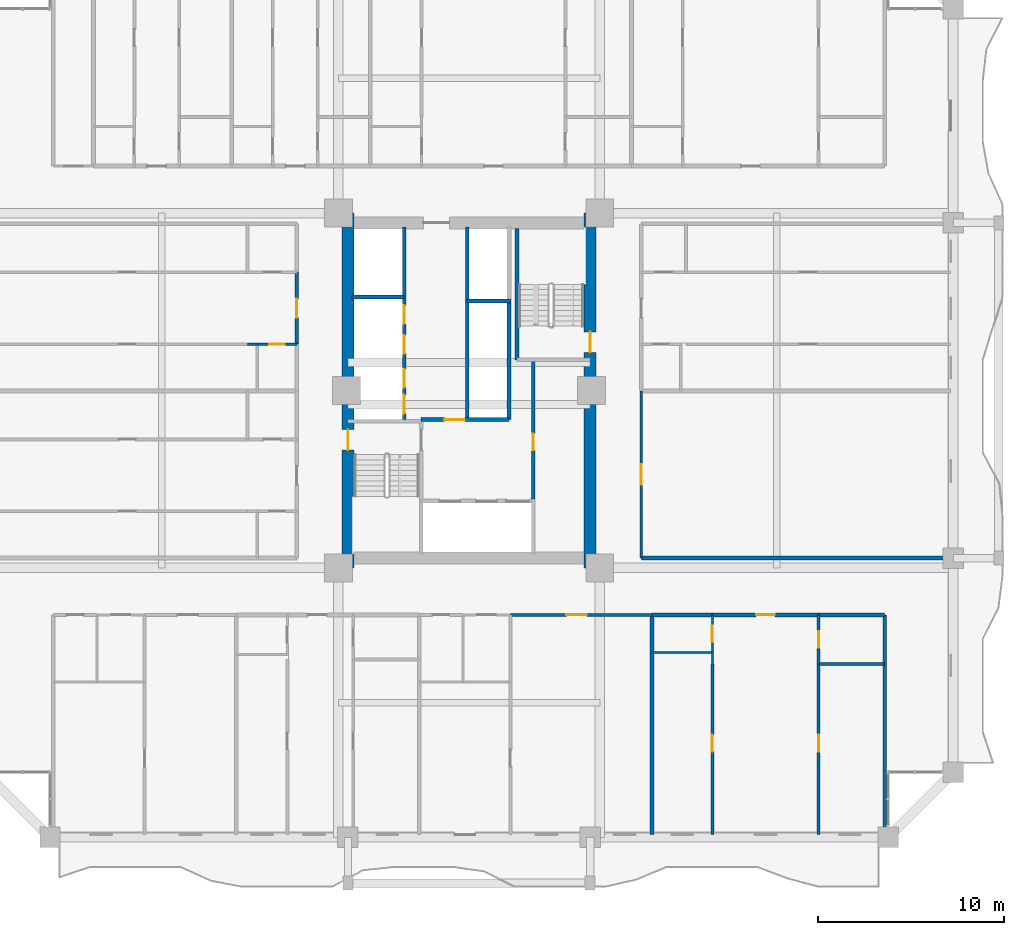
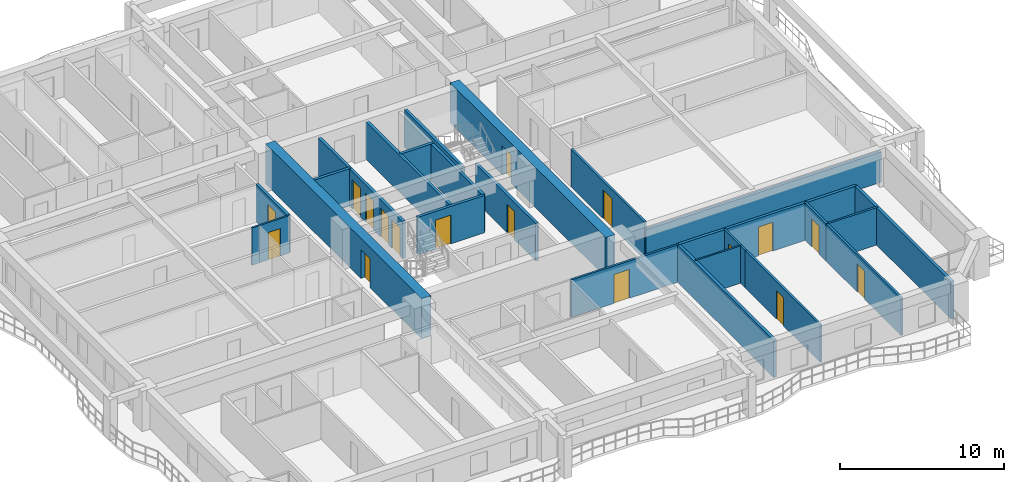
# One storey, part 16 of 27: 28 walls, 17 doors, 17 openings.
"""IFC4 building model written with IfcOpenShell, lengths in metres."""

from ifc_helpers import new_model, si_unit, direction, frame, frame_2d, origin, place, context, subcontext, project, spatial, rectangle, extrude, source, transform, mapped, material, layer, layer_set, type_object, element, fill, save


model = new_model("IFC4")

# Units and contexts
model_context = context("Model", 3, precision=1e-05, world=origin(), true_north=direction((0.0, 1.0)))
body_context = subcontext(model_context, "Body", "Model", "MODEL_VIEW")
ifc_project = project(units=[si_unit("LENGTHUNIT", "METRE"), si_unit("AREAUNIT", "SQUARE_METRE"), si_unit("VOLUMEUNIT", "CUBIC_METRE"), si_unit("PLANEANGLEUNIT", "RADIAN"), si_unit("MASSUNIT", "GRAM", prefix="KILO")], contexts=[model_context])

# Site, building, storey
site_placement = place(None, origin())
site = spatial("IfcSite", under=ifc_project, at=site_placement, CompositionType="ELEMENT")
building_placement = place(site_placement, origin())
building = spatial("IfcBuilding", under=site, at=building_placement, Name="Saelheon Loggia Tower", CompositionType="ELEMENT")
storey_placement = place(building_placement, frame((0.0, 0.0, 52.39990234375)))
storey = spatial("IfcBuildingStorey", under=building, at=storey_placement, Name="L16", CompositionType="ELEMENT", Elevation=52.39990234375)

# Wall, opening, door
ifc_material_1 = material(Name="Concrete C60/75", Category="concrete")
ifc_layer_1 = layer(ifc_material_1, 0.64990234375)
ifc_layer_set_1 = layer_set([ifc_layer_1], Name="Concrete C60/75")
wall_type_1 = type_object("IfcWallType", Name="Wall_CoreShear_650", PredefinedType="SHEAR", material=ifc_layer_set_1)
wall_1_placement = place(storey_placement, frame((31.5, 17.47998046875, 0.0), z_axis=(0.0, 0.0, 1.0), x_axis=(0.0, 1.0, 0.0)))
wall_1 = element("IfcWall", 1, at=wall_1_placement, inside=storey, type_object=wall_type_1, Name="L16 Core Shear Wall West", PredefinedType="SHEAR", context=body_context, shape_type="SweptSolid", body=[
    extrude(rectangle(XDim=19.0400390625, YDim=0.64990234375, at=frame_2d((9.52001953125, 0.0))), origin(), (0.0, 0.0, 1.0), 3.0),
])
opening_1_placement = place(wall_1_placement, frame((6.320068359375, 0.0, 0.0)))
opening_1 = element("IfcOpeningElement", 2, at=opening_1_placement, cuts=wall_1, Name="Opening D-FD2", PredefinedType="OPENING", context=body_context, shape_type="SweptSolid", body=[
    extrude(rectangle(XDim=1.10009765625, YDim=2.14990234375, at=frame_2d((0.550048828125, 1.074951171875))), frame((0.0, 0.3369140625, 0.0), z_axis=(0.0, -1.0, 0.0), x_axis=(1.0, 0.0, 0.0)), (0.0, 0.0, 1.0), 0.673828125),
])
ifc_material_2 = material(Name="Galvanised Steel Fire Door", Category="steel")
door_type_1 = type_object("IfcDoorType", Name="Door_Fire_FD60_1100", OperationType="NOTDEFINED", PredefinedType="DOOR", material=ifc_material_2)
shared_shape_1 = source(origin(), body_context, "Body", "SweptSolid", [
    extrude(rectangle(XDim=1.10009765625, YDim=2.14990234375, at=frame_2d((0.550048828125, 1.074951171875))), frame((0.0, 0.02490234375, 0.0), z_axis=(0.0, -1.0, 0.0), x_axis=(1.0, 0.0, 0.0)), (0.0, 0.0, 1.0), 0.050048828125),
])
door_1_placement = place(opening_1_placement, origin())
door_1 = element("IfcDoor", 3, at=door_1_placement, inside=storey, type_object=door_type_1, Name="L16 Stair ST1 Corridor Door", OperationType="SINGLE_SWING_LEFT", OverallHeight=2.14990234375, OverallWidth=1.10009765625, PredefinedType="DOOR", context=body_context, shape_type="MappedRepresentation", body=[
    mapped(shared_shape_1, transform((0.0, 0.0, 0.0), scale=1.0)),
])
fill(opening_1, door_1)

wall_2_placement = place(storey_placement, frame((44.5, 17.47998046875, 0.0), z_axis=(0.0, 0.0, 1.0), x_axis=(0.0, 1.0, 0.0)))
wall_2 = element("IfcWall", 4, at=wall_2_placement, inside=storey, type_object=wall_type_1, Name="L16 Core Shear Wall East", PredefinedType="SHEAR", context=body_context, shape_type="SweptSolid", body=[
    extrude(rectangle(XDim=19.0400390625, YDim=0.64990234375, at=frame_2d((9.52001953125, 0.0))), origin(), (0.0, 0.0, 1.0), 3.0),
])
opening_2_placement = place(wall_2_placement, frame((12.670166015625, 0.0, 0.0), z_axis=(0.0, 0.0, 1.0), x_axis=(-1.0, 0.0, 0.0)))
opening_2 = element("IfcOpeningElement", 5, at=opening_2_placement, cuts=wall_2, Name="Opening D-FD2", PredefinedType="OPENING", context=body_context, shape_type="SweptSolid", body=[
    extrude(rectangle(XDim=1.10009765625, YDim=2.14990234375, at=frame_2d((0.550048828125, 1.074951171875))), frame((0.0, 0.3369140625, 0.0), z_axis=(0.0, -1.0, 0.0), x_axis=(1.0, 0.0, 0.0)), (0.0, 0.0, 1.0), 0.673828125),
])
door_2_placement = place(opening_2_placement, origin())
door_2 = element("IfcDoor", 6, at=door_2_placement, inside=storey, type_object=door_type_1, Name="L16 Stair ST2 Corridor Door", OperationType="SINGLE_SWING_RIGHT", OverallHeight=2.14990234375, OverallWidth=1.10009765625, PredefinedType="DOOR", context=body_context, shape_type="MappedRepresentation", body=[
    mapped(shared_shape_1, transform((0.0, 0.0, 0.0), scale=1.0)),
])
fill(opening_2, door_2)

ifc_material_3 = material(Name="Lightweight Autoclaved Aerated Concrete Block and Acoustic Gypsum", Category="concrete")
ifc_layer_2 = layer(ifc_material_3, 0.14990234375)
ifc_layer_set_2 = layer_set([ifc_layer_2], Name="Lightweight Autoclaved Aerated Concrete Block and Acoustic Gypsum")
wall_type_2 = type_object("IfcWallType", Name="Wall_Part_150", PredefinedType="PARTITIONING", material=ifc_layer_set_2)
wall_3_placement = place(storey_placement, frame((40.2216796875, 14.949951171875, 0.0), z_axis=(0.0, 0.0, 1.0), x_axis=(1.0, 0.0, 0.0)))
wall_3 = element("IfcWall", 7, at=wall_3_placement, inside=storey, type_object=wall_type_2, Name="L16 S Partition V27", PredefinedType="PARTITIONING", context=body_context, shape_type="SweptSolid", body=[
    extrude(rectangle(XDim=7.59912109375, YDim=0.14990234375, at=frame_2d((3.799560546875, 0.0))), origin(), (0.0, 0.0, 1.0), 2.7900390625),
])
opening_3_placement = place(wall_3_placement, frame((3.00048828125, 0.0, 0.0)))
opening_3 = element("IfcOpeningElement", 8, at=opening_3_placement, cuts=wall_3, Name="Opening D-FD2", PredefinedType="OPENING", context=body_context, shape_type="SweptSolid", body=[
    extrude(rectangle(XDim=1.10009765625, YDim=2.14990234375, at=frame_2d((0.550048828125, 1.074951171875))), frame((0.0, 0.0869140625, 0.0), z_axis=(0.0, -1.0, 0.0), x_axis=(1.0, 0.0, 0.0)), (0.0, 0.0, 1.0), 0.173828125),
])
door_3_placement = place(opening_3_placement, origin())
door_3 = element("IfcDoor", 9, at=door_3_placement, inside=storey, type_object=door_type_1, Name="L16 Community Reading Library Door A", OperationType="SINGLE_SWING_LEFT", OverallHeight=2.14990234375, OverallWidth=1.10009765625, PredefinedType="DOOR", context=body_context, shape_type="MappedRepresentation", body=[
    mapped(shared_shape_1, transform((0.0, 0.0, 0.0), scale=1.0)),
])
fill(opening_3, door_3)

# Wall
wall_4_placement = place(storey_placement, frame((56.77197265625, 12.31005859375, 0.0), z_axis=(0.0, 0.0, 1.0), x_axis=(1.0, 0.0, 0.0)))
element("IfcWall", 10, at=wall_4_placement, inside=storey, type_object=wall_type_2, Name="L16 S Partition V33", PredefinedType="PARTITIONING", context=body_context, shape_type="SweptSolid", body=[
    extrude(rectangle(XDim=3.548095703125, YDim=0.14990234375, at=frame_2d((1.77392578125, 0.0))), origin(), (0.0, 0.0, 1.0), 2.7900390625),
])

# Wall, opening, door
wall_5_placement = place(storey_placement, frame((51.070556640625, 12.31005859375, 0.0), z_axis=(0.0, 0.0, 1.0), x_axis=(0.0, -1.0, 0.0)))
wall_5 = element("IfcWall", 11, at=wall_5_placement, inside=storey, type_object=wall_type_2, Name="L16 S Partition U36", PredefinedType="PARTITIONING", context=body_context, shape_type="SweptSolid", body=[
    extrude(rectangle(XDim=9.16015625, YDim=0.14990234375, at=frame_2d((4.580078125, 0.0))), origin(), (0.0, 0.0, 1.0), 2.7900390625),
])
opening_4_placement = place(wall_5_placement, frame((3.805908203125, 0.0, 0.0)))
opening_4 = element("IfcOpeningElement", 12, at=opening_4_placement, cuts=wall_5, Name="Opening D-IN2", PredefinedType="OPENING", context=body_context, shape_type="SweptSolid", body=[
    extrude(rectangle(XDim=0.89990234375, YDim=2.10009765625, at=frame_2d((0.449951171875, 1.050048828125))), frame((0.0, 0.0869140625, 0.0), z_axis=(0.0, -1.0, 0.0), x_axis=(1.0, 0.0, 0.0)), (0.0, 0.0, 1.0), 0.173828125),
])
ifc_material_4 = material(Name="Engineered Oak Flush Door", Category="timber")
door_type_2 = type_object("IfcDoorType", Name="Door_Int_900", OperationType="NOTDEFINED", PredefinedType="DOOR", material=ifc_material_4)
shared_shape_2 = source(origin(), body_context, "Body", "SweptSolid", [
    extrude(rectangle(XDim=0.89990234375, YDim=2.10009765625, at=frame_2d((0.449951171875, 1.050048828125))), frame((0.0, 0.02490234375, 0.0), z_axis=(0.0, -1.0, 0.0), x_axis=(1.0, 0.0, 0.0)), (0.0, 0.0, 1.0), 0.050048828125),
])
door_4_placement = place(opening_4_placement, origin())
door_4 = element("IfcDoor", 13, at=door_4_placement, inside=storey, type_object=door_type_2, Name="Unit U02 Bedroom 2 Door", OperationType="SINGLE_SWING_RIGHT", OverallHeight=2.10009765625, OverallWidth=0.89990234375, PredefinedType="DOOR", context=body_context, shape_type="MappedRepresentation", body=[
    mapped(shared_shape_2, transform((0.0, 0.0, 0.0), scale=1.0)),
])
fill(opening_4, door_4)

wall_6_placement = place(storey_placement, frame((56.77197265625, 14.949951171875, 0.0), z_axis=(0.0, 0.0, 1.0), x_axis=(0.0, -1.0, 0.0)))
wall_6 = element("IfcWall", 14, at=wall_6_placement, inside=storey, type_object=wall_type_2, Name="L16 S Partition U37", PredefinedType="PARTITIONING", context=body_context, shape_type="SweptSolid", body=[
    extrude(rectangle(XDim=2.639892578125, YDim=0.14990234375, at=frame_2d((1.31982421875, 0.0))), origin(), (0.0, 0.0, 1.0), 2.7900390625),
])
opening_5_placement = place(wall_6_placement, frame((0.8701171875, 0.0, 0.0)))
opening_5 = element("IfcOpeningElement", 15, at=opening_5_placement, cuts=wall_6, Name="Opening D-IN2", PredefinedType="OPENING", context=body_context, shape_type="SweptSolid", body=[
    extrude(rectangle(XDim=0.89990234375, YDim=2.10009765625, at=frame_2d((0.449951171875, 1.050048828125))), frame((0.0, 0.0869140625, 0.0), z_axis=(0.0, -1.0, 0.0), x_axis=(1.0, 0.0, 0.0)), (0.0, 0.0, 1.0), 0.173828125),
])
door_5_placement = place(opening_5_placement, origin())
door_5 = element("IfcDoor", 16, at=door_5_placement, inside=storey, type_object=door_type_2, Name="Unit U02 Kitchen Door", OperationType="SINGLE_SWING_LEFT", OverallHeight=2.10009765625, OverallWidth=0.89990234375, PredefinedType="DOOR", context=body_context, shape_type="MappedRepresentation", body=[
    mapped(shared_shape_2, transform((0.0, 0.0, 0.0), scale=1.0)),
])
fill(opening_5, door_5)

wall_7_placement = place(storey_placement, frame((56.77197265625, 12.31005859375, 0.0), z_axis=(0.0, 0.0, 1.0), x_axis=(0.0, -1.0, 0.0)))
wall_7 = element("IfcWall", 17, at=wall_7_placement, inside=storey, type_object=wall_type_2, Name="L16 S Partition U38", PredefinedType="PARTITIONING", context=body_context, shape_type="SweptSolid", body=[
    extrude(rectangle(XDim=9.16015625, YDim=0.14990234375, at=frame_2d((4.580078125, 0.0))), origin(), (0.0, 0.0, 1.0), 2.7900390625),
])
opening_6_placement = place(wall_7_placement, frame((3.805908203125, 0.0, 0.0)))
opening_6 = element("IfcOpeningElement", 18, at=opening_6_placement, cuts=wall_7, Name="Opening D-IN2", PredefinedType="OPENING", context=body_context, shape_type="SweptSolid", body=[
    extrude(rectangle(XDim=0.89990234375, YDim=2.10009765625, at=frame_2d((0.449951171875, 1.050048828125))), frame((0.0, 0.0869140625, 0.0), z_axis=(0.0, -1.0, 0.0), x_axis=(1.0, 0.0, 0.0)), (0.0, 0.0, 1.0), 0.173828125),
])
door_6_placement = place(opening_6_placement, origin())
door_6 = element("IfcDoor", 19, at=door_6_placement, inside=storey, type_object=door_type_2, Name="Unit U02 Bedroom 1 Door", OperationType="SINGLE_SWING_RIGHT", OverallHeight=2.10009765625, OverallWidth=0.89990234375, PredefinedType="DOOR", context=body_context, shape_type="MappedRepresentation", body=[
    mapped(shared_shape_2, transform((0.0, 0.0, 0.0), scale=1.0)),
])
fill(opening_6, door_6)

wall_8_placement = place(storey_placement, frame((47.25, 18.0, 0.0), z_axis=(0.0, 0.0, 1.0), x_axis=(0.0, 1.0, 0.0)))
wall_8 = element("IfcWall", 20, at=wall_8_placement, inside=storey, type_object=wall_type_2, Name="L16 E Partition V03", PredefinedType="PARTITIONING", context=body_context, shape_type="SweptSolid", body=[
    extrude(rectangle(XDim=8.97509765625, YDim=0.14990234375, at=frame_2d((4.487548828125, 0.0))), origin(), (0.0, 0.0, 1.0), 2.7900390625),
])
opening_7_placement = place(wall_8_placement, frame((3.9375, 0.0, 0.0)))
opening_7 = element("IfcOpeningElement", 21, at=opening_7_placement, cuts=wall_8, Name="Opening D-FD2", PredefinedType="OPENING", context=body_context, shape_type="SweptSolid", body=[
    extrude(rectangle(XDim=1.10009765625, YDim=2.14990234375, at=frame_2d((0.550048828125, 1.074951171875))), frame((0.0, 0.0869140625, 0.0), z_axis=(0.0, -1.0, 0.0), x_axis=(1.0, 0.0, 0.0)), (0.0, 0.0, 1.0), 0.173828125),
])
door_7_placement = place(opening_7_placement, origin())
door_7 = element("IfcDoor", 22, at=door_7_placement, inside=storey, type_object=door_type_1, Name="L16 Community Wellness Activity Hall Door A", OperationType="SINGLE_SWING_RIGHT", OverallHeight=2.14990234375, OverallWidth=1.10009765625, PredefinedType="DOOR", context=body_context, shape_type="MappedRepresentation", body=[
    mapped(shared_shape_1, transform((0.0, 0.0, 0.0), scale=1.0)),
])
fill(opening_7, door_7)

# Walls
ifc_material_5 = material(Name="Double Acoustic Stud and Fireboard Partition", Category="gypsum")
ifc_layer_3 = layer(ifc_material_5, 0.199951171875)
ifc_layer_set_3 = layer_set([ifc_layer_3], Name="Double Acoustic Stud and Fireboard Partition")
wall_type_3 = type_object("IfcWallType", Name="Wall_Party_200", PredefinedType="PARTITIONING", material=ifc_layer_set_3)
for number, where, z_axis, x_axis, name in (
    (23, (60.320068359375, 14.949951171875, 0.0), (0.0, 0.0, 1.0), (0.0, -1.0, 0.0), "L16 S Partition U02"),
    (24, (47.82080078125, 14.949951171875, 0.0), (0.0, 0.0, 1.0), (0.0, -1.0, 0.0), "L16 S Partition U28"),
):
    element("IfcWall", number, at=place(storey_placement, frame(where, z_axis=z_axis, x_axis=x_axis)), inside=storey, type_object=wall_type_3, Name=name, PredefinedType="PARTITIONING", context=body_context, shape_type="SweptSolid", body=[
        extrude(rectangle(XDim=11.800048828125, YDim=0.199951171875, at=frame_2d((5.89990234375, 0.0))), origin(), (0.0, 0.0, 1.0), 2.7900390625),
    ])
wall_9_placement = place(storey_placement, frame((47.82080078125, 14.949951171875, 0.0), z_axis=(0.0, 0.0, 1.0), x_axis=(1.0, 0.0, 0.0)))
element("IfcWall", 25, at=wall_9_placement, inside=storey, type_object=wall_type_3, Name="L16 S Partition V29", PredefinedType="PARTITIONING", context=body_context, shape_type="SweptSolid", body=[
    extrude(rectangle(XDim=3.249755859375, YDim=0.199951171875, at=frame_2d((1.625, 0.0))), origin(), (0.0, 0.0, 1.0), 2.7900390625),
])

# Wall, opening, door
wall_10_placement = place(storey_placement, frame((51.070556640625, 14.949951171875, 0.0), z_axis=(0.0, 0.0, 1.0), x_axis=(1.0, 0.0, 0.0)))
wall_10 = element("IfcWall", 26, at=wall_10_placement, inside=storey, type_object=wall_type_3, Name="L16 S Partition V30", PredefinedType="PARTITIONING", context=body_context, shape_type="SweptSolid", body=[
    extrude(rectangle(XDim=5.701416015625, YDim=0.199951171875, at=frame_2d((2.8505859375, 0.0))), origin(), (0.0, 0.0, 1.0), 2.7900390625),
])
opening_8_placement = place(wall_10_placement, frame((2.3505859375, 0.0, 0.0)))
opening_8 = element("IfcOpeningElement", 27, at=opening_8_placement, cuts=wall_10, Name="Opening D-FD1", PredefinedType="OPENING", context=body_context, shape_type="SweptSolid", body=[
    extrude(rectangle(XDim=1.0, YDim=2.14990234375, at=frame_2d((0.5, 1.074951171875))), frame((0.0, 0.112060546875, 0.0), z_axis=(0.0, -1.0, 0.0), x_axis=(1.0, 0.0, 0.0)), (0.0, 0.0, 1.0), 0.223876953125),
])
ifc_material_6 = material(Name="Fire-Rated Engineered Timber Entrance Door", Category="wood")
door_type_3 = type_object("IfcDoorType", Name="Door_Flat_FD30S", OperationType="NOTDEFINED", PredefinedType="DOOR", material=ifc_material_6)
shared_shape_3 = source(origin(), body_context, "Body", "SweptSolid", [
    extrude(rectangle(XDim=1.0, YDim=2.14990234375, at=frame_2d((0.5, 1.074951171875))), frame((0.0, 0.02490234375, 0.0), z_axis=(0.0, -1.0, 0.0), x_axis=(1.0, 0.0, 0.0)), (0.0, 0.0, 1.0), 0.050048828125),
])
door_8_placement = place(opening_8_placement, origin())
door_8 = element("IfcDoor", 28, at=door_8_placement, inside=storey, type_object=door_type_3, Name="Unit U02 Entrance Door", OperationType="SINGLE_SWING_RIGHT", OverallHeight=2.14990234375, OverallWidth=1.0, PredefinedType="DOOR", context=body_context, shape_type="MappedRepresentation", body=[
    mapped(shared_shape_3, transform((0.0, 0.0, 0.0), scale=1.0)),
])
fill(opening_8, door_8)

# Wall
wall_11_placement = place(storey_placement, frame((56.77197265625, 14.949951171875, 0.0), z_axis=(0.0, 0.0, 1.0), x_axis=(1.0, 0.0, 0.0)))
element("IfcWall", 29, at=wall_11_placement, inside=storey, type_object=wall_type_3, Name="L16 S Partition V31", PredefinedType="PARTITIONING", context=body_context, shape_type="SweptSolid", body=[
    extrude(rectangle(XDim=3.548095703125, YDim=0.199951171875, at=frame_2d((1.77392578125, 0.0))), origin(), (0.0, 0.0, 1.0), 2.7900390625),
])

# Wall, opening, door
wall_12_placement = place(storey_placement, frame((28.75, 29.488037109375, 0.0), z_axis=(0.0, 0.0, 1.0), x_axis=(0.0, 1.0, 0.0)))
wall_12 = element("IfcWall", 30, at=wall_12_placement, inside=storey, type_object=wall_type_3, Name="L16 W Partition V15", PredefinedType="PARTITIONING", context=body_context, shape_type="SweptSolid", body=[
    extrude(rectangle(XDim=3.862060546875, YDim=0.199951171875, at=frame_2d((1.93115234375, 0.0))), origin(), (0.0, 0.0, 1.0), 2.7900390625),
])
opening_9_placement = place(wall_12_placement, frame((1.430908203125, 0.0, 0.0)))
opening_9 = element("IfcOpeningElement", 31, at=opening_9_placement, cuts=wall_12, Name="Opening D-FD1", PredefinedType="OPENING", context=body_context, shape_type="SweptSolid", body=[
    extrude(rectangle(XDim=1.0, YDim=2.14990234375, at=frame_2d((0.5, 1.074951171875))), frame((0.0, 0.112060546875, 0.0), z_axis=(0.0, -1.0, 0.0), x_axis=(1.0, 0.0, 0.0)), (0.0, 0.0, 1.0), 0.223876953125),
])
door_9_placement = place(opening_9_placement, origin())
door_9 = element("IfcDoor", 32, at=door_9_placement, inside=storey, type_object=door_type_3, Name="Unit U08 Entrance Door", OperationType="SINGLE_SWING_LEFT", OverallHeight=2.14990234375, OverallWidth=1.0, PredefinedType="DOOR", context=body_context, shape_type="MappedRepresentation", body=[
    mapped(shared_shape_3, transform((0.0, 0.0, 0.0), scale=1.0)),
])
fill(opening_9, door_9)

# Wall
wall_13_placement = place(storey_placement, frame((47.25, 18.0, 0.0), z_axis=(0.0, 0.0, 1.0), x_axis=(1.0, 0.0, 0.0)))
element("IfcWall", 33, at=wall_13_placement, inside=storey, type_object=wall_type_3, Name="L16 E Partition U01", PredefinedType="PARTITIONING", context=body_context, shape_type="SweptSolid", body=[
    extrude(rectangle(XDim=16.60009765625, YDim=0.199951171875, at=frame_2d((8.300048828125, 0.0))), origin(), (0.0, 0.0, 1.0), 2.239990234375),
])

# Wall, opening, door
ifc_material_7 = material(Name="Concrete C40/50", Category="concrete")
ifc_layer_4 = layer(ifc_material_7, 0.199951171875)
ifc_layer_set_4 = layer_set([ifc_layer_4], Name="Concrete C40/50")
wall_type_4 = type_object("IfcWallType", Name="Wall_Shaft_200", PredefinedType="PARTITIONING", material=ifc_layer_set_4)
wall_14_placement = place(storey_placement, frame((41.449951171875, 21.179931640625, 0.0), z_axis=(0.0, 0.0, 1.0), x_axis=(0.0, 1.0, 0.0)))
wall_14 = element("IfcWall", 34, at=wall_14_placement, inside=storey, type_object=wall_type_4, Name="CW-INT-L16-BOH-W1", PredefinedType="PARTITIONING", context=body_context, shape_type="SweptSolid", body=[
    extrude(rectangle(XDim=7.420166015625, YDim=0.199951171875, at=frame_2d((3.7099609375, 0.0))), origin(), (0.0, 0.0, 1.0), 2.7900390625),
])
opening_10_placement = place(wall_14_placement, frame((2.60009765625, 0.0, 0.0)))
opening_10 = element("IfcOpeningElement", 35, at=opening_10_placement, cuts=wall_14, Name="Opening D-RS1", PredefinedType="OPENING", context=body_context, shape_type="SweptSolid", body=[
    extrude(rectangle(XDim=0.89990234375, YDim=2.10009765625, at=frame_2d((0.449951171875, 1.050048828125))), frame((0.0, 0.112060546875, 0.0), z_axis=(0.0, -1.0, 0.0), x_axis=(1.0, 0.0, 0.0)), (0.0, 0.0, 1.0), 0.223876953125),
])
ifc_material_8 = material(Name="Galvanised Steel Riser Access Door", Category="steel")
door_type_4 = type_object("IfcDoorType", Name="Door_Riser_FD60", OperationType="NOTDEFINED", PredefinedType="DOOR", material=ifc_material_8)
door_10_placement = place(opening_10_placement, origin())
door_10 = element("IfcDoor", 36, at=door_10_placement, inside=storey, type_object=door_type_4, Name="L16 Core Service Store Door", OperationType="SINGLE_SWING_RIGHT", OverallHeight=2.10009765625, OverallWidth=0.89990234375, PredefinedType="DOOR", context=body_context, shape_type="MappedRepresentation", body=[
    mapped(shared_shape_2, transform((0.0, 0.0, 0.0), scale=1.0)),
])
fill(opening_10, door_10)

# Wall
wall_15_placement = place(storey_placement, frame((40.14990234375, 25.43994140625, 0.0), z_axis=(0.0, 0.0, 1.0), x_axis=(0.0, 1.0, 0.0)))
element("IfcWall", 37, at=wall_15_placement, inside=storey, type_object=wall_type_4, Name="L16 Core Service Passage West Wall", PredefinedType="PARTITIONING", context=body_context, shape_type="SweptSolid", body=[
    extrude(rectangle(XDim=6.360107421875, YDim=0.199951171875, at=frame_2d((3.18017578125, 0.0))), origin(), (0.0, 0.0, 1.0), 2.7900390625),
])

# Wall, opening, door
wall_16_placement = place(storey_placement, frame((35.429931640625, 25.43994140625, 0.0), z_axis=(0.0, 0.0, 1.0), x_axis=(1.0, 0.0, 0.0)))
wall_16 = element("IfcWall", 38, at=wall_16_placement, inside=storey, type_object=wall_type_4, Name="L16 Firefighting Lobby Compartment Wall", PredefinedType="PARTITIONING", context=body_context, shape_type="SweptSolid", body=[
    extrude(rectangle(XDim=4.719970703125, YDim=0.199951171875, at=frame_2d((2.35986328125, 0.0))), origin(), (0.0, 0.0, 1.0), 2.7900390625),
])
opening_11_placement = place(wall_16_placement, frame((1.25, 0.0, 0.0)))
opening_11 = element("IfcOpeningElement", 39, at=opening_11_placement, cuts=wall_16, Name="Opening D-FD2", PredefinedType="OPENING", context=body_context, shape_type="SweptSolid", body=[
    extrude(rectangle(XDim=1.10009765625, YDim=2.14990234375, at=frame_2d((0.550048828125, 1.074951171875))), frame((0.0, 0.112060546875, 0.0), z_axis=(0.0, -1.0, 0.0), x_axis=(1.0, 0.0, 0.0)), (0.0, 0.0, 1.0), 0.223876953125),
])
door_11_placement = place(opening_11_placement, origin())
door_11 = element("IfcDoor", 40, at=door_11_placement, inside=storey, type_object=door_type_1, Name="L16 Firefighting Lobby Door", OperationType="SINGLE_SWING_LEFT", OverallHeight=2.14990234375, OverallWidth=1.10009765625, PredefinedType="DOOR", context=body_context, shape_type="MappedRepresentation", body=[
    mapped(shared_shape_1, transform((0.0, 0.0, 0.0), scale=1.0)),
])
fill(opening_11, door_11)

# Wall, openings, doors
wall_17_placement = place(storey_placement, frame((34.52001953125, 25.43994140625, 0.0), z_axis=(0.0, 0.0, 1.0), x_axis=(0.0, 1.0, 0.0)))
wall_17 = element("IfcWall", 41, at=wall_17_placement, inside=storey, type_object=wall_type_4, Name="L16 West Passenger Lift Bank Wall", PredefinedType="PARTITIONING", context=body_context, shape_type="SweptSolid", body=[
    extrude(rectangle(XDim=10.340087890625, YDim=0.199951171875, at=frame_2d((5.169921875, 0.0))), origin(), (0.0, 0.0, 1.0), 2.7900390625),
])
opening_12_placement = place(wall_17_placement, frame((0.320068359375, 0.0, 0.0)))
opening_12 = element("IfcOpeningElement", 42, at=opening_12_placement, cuts=wall_17, Name="Opening LD1", PredefinedType="OPENING", context=body_context, shape_type="SweptSolid", body=[
    extrude(rectangle(XDim=1.0, YDim=2.14990234375, at=frame_2d((0.5, 1.074951171875))), frame((0.0, 0.112060546875, 0.0), z_axis=(0.0, -1.0, 0.0), x_axis=(1.0, 0.0, 0.0)), (0.0, 0.0, 1.0), 0.223876953125),
])
opening_13_placement = place(wall_17_placement, frame((1.7099609375, 0.0, 0.0)))
opening_13 = element("IfcOpeningElement", 43, at=opening_13_placement, cuts=wall_17, Name="Opening LD1", PredefinedType="OPENING", context=body_context, shape_type="SweptSolid", body=[
    extrude(rectangle(XDim=1.0, YDim=2.14990234375, at=frame_2d((0.5, 1.074951171875))), frame((0.0, 0.112060546875, 0.0), z_axis=(0.0, -1.0, 0.0), x_axis=(1.0, 0.0, 0.0)), (0.0, 0.0, 1.0), 0.223876953125),
])
opening_14_placement = place(wall_17_placement, frame((3.534912109375, 0.0, 0.0)))
opening_14 = element("IfcOpeningElement", 44, at=opening_14_placement, cuts=wall_17, Name="Opening LD1", PredefinedType="OPENING", context=body_context, shape_type="SweptSolid", body=[
    extrude(rectangle(XDim=1.0, YDim=2.14990234375, at=frame_2d((0.5, 1.074951171875))), frame((0.0, 0.112060546875, 0.0), z_axis=(0.0, -1.0, 0.0), x_axis=(1.0, 0.0, 0.0)), (0.0, 0.0, 1.0), 0.223876953125),
])
opening_15_placement = place(wall_17_placement, frame((5.135009765625, 0.0, 0.0)))
opening_15 = element("IfcOpeningElement", 45, at=opening_15_placement, cuts=wall_17, Name="Opening LD1", PredefinedType="OPENING", context=body_context, shape_type="SweptSolid", body=[
    extrude(rectangle(XDim=1.0, YDim=2.14990234375, at=frame_2d((0.5, 1.074951171875))), frame((0.0, 0.112060546875, 0.0), z_axis=(0.0, -1.0, 0.0), x_axis=(1.0, 0.0, 0.0)), (0.0, 0.0, 1.0), 0.223876953125),
])
ifc_material_9 = material(Name="Brushed Stainless Steel 304 Landing Door", Category="steel")
door_type_5 = type_object("IfcDoorType", Name="Door_Lift_LD1", OperationType="DOUBLE_DOOR_SLIDING", PredefinedType="DOOR", material=ifc_material_9)
door_12_placement = place(opening_12_placement, origin())
door_12 = element("IfcDoor", 46, at=door_12_placement, inside=storey, type_object=door_type_5, Name="L16 PL1 Landing Door", OperationType="DOUBLE_DOOR_SLIDING", OverallHeight=2.14990234375, OverallWidth=1.0, PredefinedType="DOOR", context=body_context, shape_type="MappedRepresentation", body=[
    mapped(shared_shape_3, transform((0.0, 0.0, 0.0), scale=1.0)),
])
fill(opening_12, door_12)
door_13_placement = place(opening_13_placement, origin())
door_13 = element("IfcDoor", 47, at=door_13_placement, inside=storey, type_object=door_type_5, Name="L16 PL2 Landing Door", OperationType="DOUBLE_DOOR_SLIDING", OverallHeight=2.14990234375, OverallWidth=1.0, PredefinedType="DOOR", context=body_context, shape_type="MappedRepresentation", body=[
    mapped(shared_shape_3, transform((0.0, 0.0, 0.0), scale=1.0)),
])
fill(opening_13, door_13)
door_14_placement = place(opening_14_placement, origin())
door_14 = element("IfcDoor", 48, at=door_14_placement, inside=storey, type_object=door_type_5, Name="L16 PL3 Landing Door", OperationType="DOUBLE_DOOR_SLIDING", OverallHeight=2.14990234375, OverallWidth=1.0, PredefinedType="DOOR", context=body_context, shape_type="MappedRepresentation", body=[
    mapped(shared_shape_3, transform((0.0, 0.0, 0.0), scale=1.0)),
])
fill(opening_14, door_14)
door_15_placement = place(opening_15_placement, origin())
door_15 = element("IfcDoor", 49, at=door_15_placement, inside=storey, type_object=door_type_5, Name="L16 PL4 Landing Door", OperationType="DOUBLE_DOOR_SLIDING", OverallHeight=2.14990234375, OverallWidth=1.0, PredefinedType="DOOR", context=body_context, shape_type="MappedRepresentation", body=[
    mapped(shared_shape_3, transform((0.0, 0.0, 0.0), scale=1.0)),
])
fill(opening_15, door_15)

# Walls
wall_18_placement = place(storey_placement, frame((31.719970703125, 32.02001953125, 0.0), z_axis=(0.0, 0.0, 1.0), x_axis=(1.0, 0.0, 0.0)))
element("IfcWall", 50, at=wall_18_placement, inside=storey, type_object=wall_type_4, Name="L16 West High-Rise Shaft Divider", PredefinedType="PARTITIONING", context=body_context, shape_type="SweptSolid", body=[
    extrude(rectangle(XDim=2.800048828125, YDim=0.199951171875, at=frame_2d((1.39990234375, 0.0))), origin(), (0.0, 0.0, 1.0), 2.7900390625),
])
wall_19_placement = place(storey_placement, frame((37.89990234375, 25.43994140625, 0.0), z_axis=(0.0, 0.0, 1.0), x_axis=(0.0, 1.0, 0.0)))
element("IfcWall", 51, at=wall_19_placement, inside=storey, type_object=wall_type_4, Name="L16 East Passenger Lift Bank Wall", PredefinedType="PARTITIONING", context=body_context, shape_type="SweptSolid", body=[
    extrude(rectangle(XDim=10.340087890625, YDim=0.199951171875, at=frame_2d((5.169921875, 0.0))), origin(), (0.0, 0.0, 1.0), 2.7900390625),
])
wall_20_placement = place(storey_placement, frame((37.89990234375, 31.800048828125, 0.0), z_axis=(0.0, 0.0, 1.0), x_axis=(1.0, 0.0, 0.0)))
element("IfcWall", 52, at=wall_20_placement, inside=storey, type_object=wall_type_4, Name="L16 East High-Rise Shaft Divider", PredefinedType="PARTITIONING", context=body_context, shape_type="SweptSolid", body=[
    extrude(rectangle(XDim=2.35009765625, YDim=0.199951171875, at=frame_2d((1.175048828125, 0.0))), origin(), (0.0, 0.0, 1.0), 2.7900390625),
])
ifc_material_10 = material(Name="Concrete C45/55", Category="concrete")
ifc_layer_5 = layer(ifc_material_10, 0.199951171875)
ifc_layer_set_5 = layer_set([ifc_layer_5], Name="Concrete C45/55")
wall_type_5 = type_object("IfcWallType", Name="Wall_StairShaft_RC200", PredefinedType="SOLIDWALL", material=ifc_layer_set_5)
wall_21_placement = place(storey_placement, frame((40.570068359375, 28.64990234375, 0.0), z_axis=(0.0, 0.0, 1.0), x_axis=(0.0, 1.0, 0.0)))
element("IfcWall", 53, at=wall_21_placement, inside=storey, type_object=wall_type_5, Name="L16 Stair ST2 Shaft Wall", PredefinedType="SOLIDWALL", context=body_context, shape_type="SweptSolid", body=[
    extrude(rectangle(XDim=7.050048828125, YDim=0.199951171875, at=frame_2d((3.52490234375, 0.0))), origin(), (0.0, 0.0, 1.0), 2.7900390625),
])
ifc_material_11 = material(Name="Moisture-Resistant Cement Board Partition", Category="gypsum")
ifc_layer_6 = layer(ifc_material_11, 0.1201171875)
ifc_layer_set_6 = layer_set([ifc_layer_6], Name="Moisture-Resistant Cement Board Partition")
wall_type_6 = type_object("IfcWallType", Name="Wall_WetPart_120", PredefinedType="PARTITIONING", material=ifc_layer_set_6)
wall_22_placement = place(storey_placement, frame((47.82080078125, 12.929931640625, 0.0), z_axis=(0.0, 0.0, 1.0), x_axis=(1.0, 0.0, 0.0)))
element("IfcWall", 54, at=wall_22_placement, inside=storey, type_object=wall_type_6, Name="L16 S Partition V32", PredefinedType="PARTITIONING", context=body_context, shape_type="SweptSolid", body=[
    extrude(rectangle(XDim=3.249755859375, YDim=0.1201171875, at=frame_2d((1.625, 0.0))), origin(), (0.0, 0.0, 1.0), 2.7900390625),
])

# Wall, opening, door
wall_23_placement = place(storey_placement, frame((51.070556640625, 14.949951171875, 0.0), z_axis=(0.0, 0.0, 1.0), x_axis=(0.0, -1.0, 0.0)))
wall_23 = element("IfcWall", 55, at=wall_23_placement, inside=storey, type_object=wall_type_6, Name="L16 S Partition U34", PredefinedType="PARTITIONING", context=body_context, shape_type="SweptSolid", body=[
    extrude(rectangle(XDim=2.02001953125, YDim=0.1201171875, at=frame_2d((1.010009765625, 0.0))), origin(), (0.0, 0.0, 1.0), 2.7900390625),
])
opening_16_placement = place(wall_23_placement, frame((0.5849609375, 0.0, 0.0)))
opening_16 = element("IfcOpeningElement", 56, at=opening_16_placement, cuts=wall_23, Name="Opening D-BT1", PredefinedType="OPENING", context=body_context, shape_type="SweptSolid", body=[
    extrude(rectangle(XDim=0.85009765625, YDim=2.050048828125, at=frame_2d((0.425048828125, 1.02490234375))), frame((0.0, 0.072021484375, 0.0), z_axis=(0.0, -1.0, 0.0), x_axis=(1.0, 0.0, 0.0)), (0.0, 0.0, 1.0), 0.14404296875),
])
ifc_material_12 = material(Name="Moisture-Resistant Laminate Timber Door", Category="wood")
door_type_6 = type_object("IfcDoorType", Name="Door_Bath_850", OperationType="NOTDEFINED", PredefinedType="DOOR", material=ifc_material_12)
shared_shape_4 = source(origin(), body_context, "Body", "SweptSolid", [
    extrude(rectangle(XDim=0.85009765625, YDim=2.050048828125, at=frame_2d((0.425048828125, 1.02490234375))), frame((0.0, 0.02490234375, 0.0), z_axis=(0.0, -1.0, 0.0), x_axis=(1.0, 0.0, 0.0)), (0.0, 0.0, 1.0), 0.050048828125),
])
door_16_placement = place(opening_16_placement, origin())
door_16 = element("IfcDoor", 57, at=door_16_placement, inside=storey, type_object=door_type_6, Name="Unit U02 Bathroom Door", OperationType="SINGLE_SWING_LEFT", OverallHeight=2.050048828125, OverallWidth=0.85009765625, PredefinedType="DOOR", context=body_context, shape_type="MappedRepresentation", body=[
    mapped(shared_shape_4, transform((0.0, 0.0, 0.0), scale=1.0)),
])
fill(opening_16, door_16)

# Wall
wall_24_placement = place(storey_placement, frame((51.070556640625, 12.929931640625, 0.0), z_axis=(0.0, 0.0, 1.0), x_axis=(0.0, -1.0, 0.0)))
element("IfcWall", 58, at=wall_24_placement, inside=storey, type_object=wall_type_6, Name="L16 S Partition U35", PredefinedType="PARTITIONING", context=body_context, shape_type="SweptSolid", body=[
    extrude(rectangle(XDim=0.619873046875, YDim=0.1201171875, at=frame_2d((0.31005859375, 0.0))), origin(), (0.0, 0.0, 1.0), 2.7900390625),
])

# Wall, opening, door
wall_25_placement = place(storey_placement, frame((28.75, 29.488037109375, 0.0), z_axis=(0.0, 0.0, 1.0), x_axis=(-1.0, 0.0, 0.0)))
wall_25 = element("IfcWall", 59, at=wall_25_placement, inside=storey, type_object=wall_type_6, Name="L16 W Partition U19", PredefinedType="PARTITIONING", context=body_context, shape_type="SweptSolid", body=[
    extrude(rectangle(XDim=2.1201171875, YDim=0.1201171875, at=frame_2d((1.06005859375, 0.0))), origin(), (0.0, 0.0, 1.0), 2.7900390625),
])
opening_17_placement = place(wall_25_placement, frame((0.635009765625, 0.0, 0.0)))
opening_17 = element("IfcOpeningElement", 60, at=opening_17_placement, cuts=wall_25, Name="Opening D-BT1", PredefinedType="OPENING", context=body_context, shape_type="SweptSolid", body=[
    extrude(rectangle(XDim=0.85009765625, YDim=2.050048828125, at=frame_2d((0.425048828125, 1.02490234375))), frame((0.0, 0.072021484375, 0.0), z_axis=(0.0, -1.0, 0.0), x_axis=(1.0, 0.0, 0.0)), (0.0, 0.0, 1.0), 0.14404296875),
])
door_17_placement = place(opening_17_placement, origin())
door_17 = element("IfcDoor", 61, at=door_17_placement, inside=storey, type_object=door_type_6, Name="Unit U08 Bathroom Door", OperationType="SINGLE_SWING_RIGHT", OverallHeight=2.050048828125, OverallWidth=0.85009765625, PredefinedType="DOOR", context=body_context, shape_type="MappedRepresentation", body=[
    mapped(shared_shape_4, transform((0.0, 0.0, 0.0), scale=1.0)),
])
fill(opening_17, door_17)

# Wall
wall_26_placement = place(storey_placement, frame((26.6298828125, 29.488037109375, 0.0), z_axis=(0.0, 0.0, 1.0), x_axis=(-1.0, 0.0, 0.0)))
element("IfcWall", 62, at=wall_26_placement, inside=storey, type_object=wall_type_6, Name="L16 W Partition U20", PredefinedType="PARTITIONING", context=body_context, shape_type="SweptSolid", body=[
    extrude(rectangle(XDim=0.519775390625, YDim=0.1201171875, at=frame_2d((0.259765625, 0.0))), origin(), (0.0, 0.0, 1.0), 2.7900390625),
])

save(model, "model.ifc")
